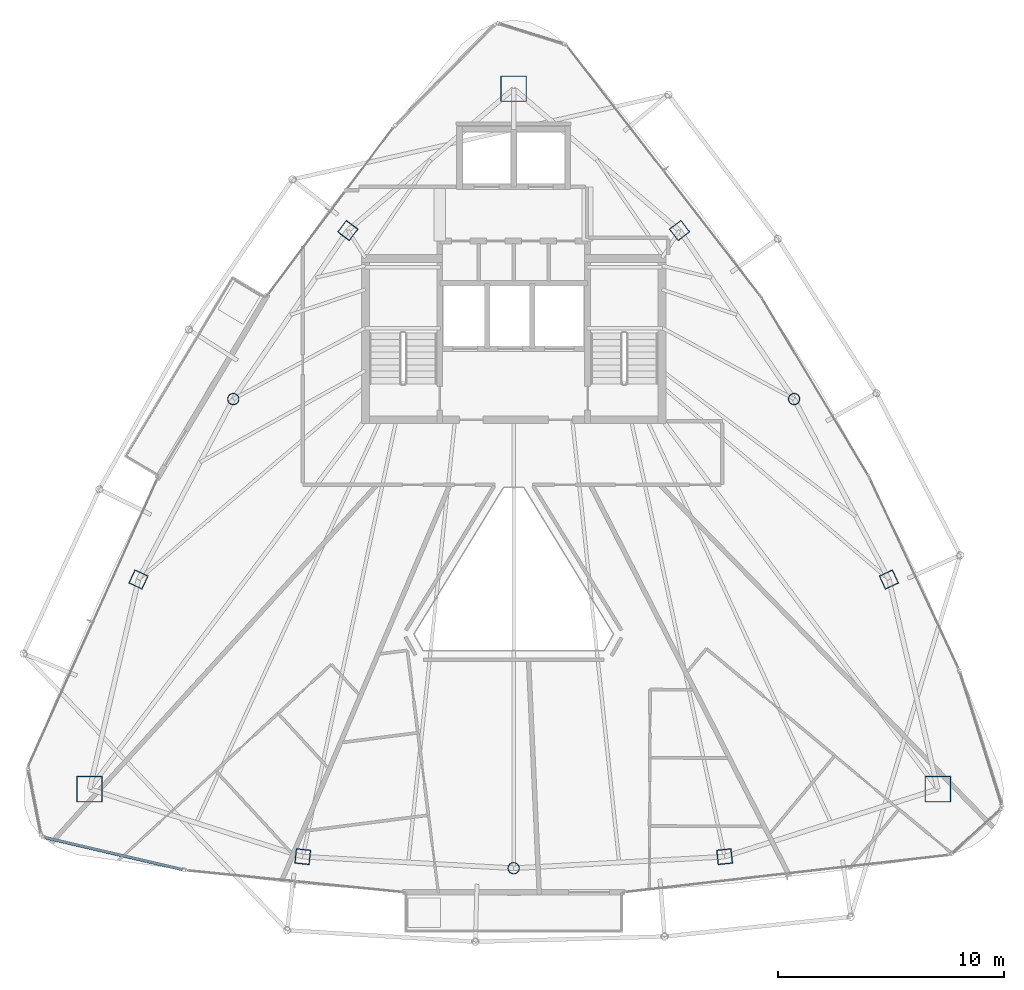
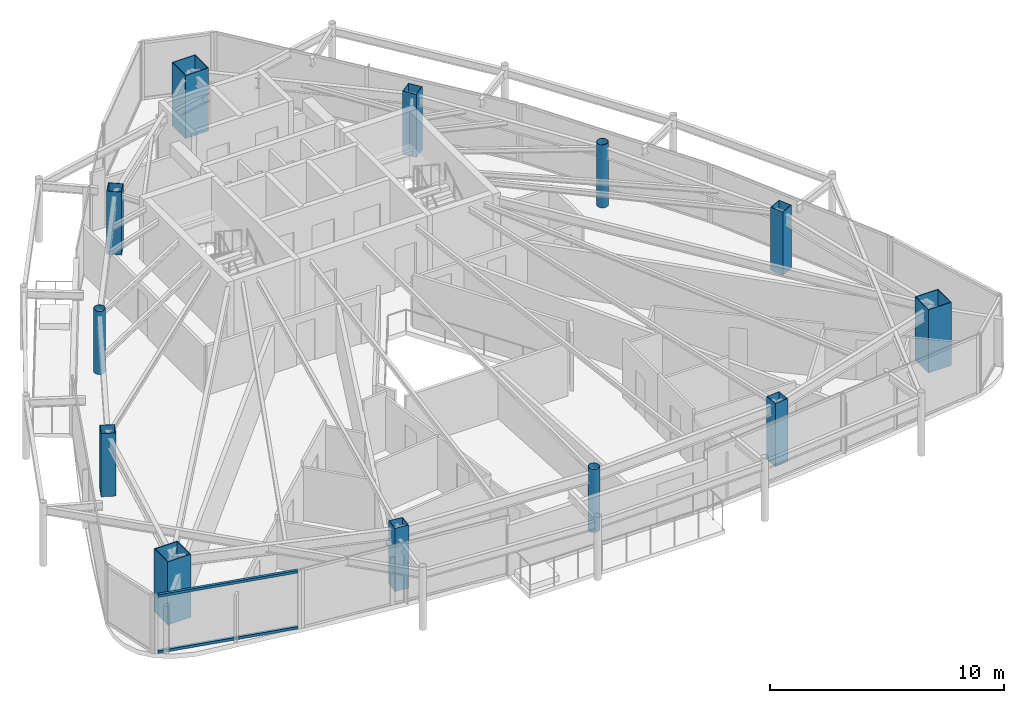
# One storey, part 1 of 30: 12 columns, 2 members, 1 element without a shape of its own.
"""IFC4 building model written with IfcOpenShell, lengths in metres."""

from ifc_helpers import new_model, si_unit, direction, frame, origin, origin_2d, place, context, subcontext, project, spatial, hollow_rectangle, hollow_circle, extrude, material, layer, layer_set, material_profile, profile_set, type_object, element, aggregate, save


model = new_model("IFC4")

# Units and contexts
model_context = context("Model", 3, precision=1e-05, world=origin(), true_north=direction((0.0, 1.0)))
body_context = subcontext(model_context, "Body", "Model", "MODEL_VIEW")
ifc_project = project(units=[si_unit("LENGTHUNIT", "METRE"), si_unit("AREAUNIT", "SQUARE_METRE"), si_unit("VOLUMEUNIT", "CUBIC_METRE"), si_unit("PLANEANGLEUNIT", "RADIAN"), si_unit("MASSUNIT", "GRAM", prefix="KILO")], contexts=[model_context])

# Site, building, storey
site_placement = place(None, origin())
site = spatial("IfcSite", under=ifc_project, at=site_placement, CompositionType="ELEMENT")
building_placement = place(site_placement, origin())
building = spatial("IfcBuilding", under=site, at=building_placement, Name="Orvanel Arch Residences", CompositionType="ELEMENT")
storey_placement = place(building_placement, frame((0.0, 0.0, 270.050048828125)))
storey = spatial("IfcBuildingStorey", under=building, at=storey_placement, Name="L77", CompositionType="ELEMENT", Elevation=270.050048828125)

# Columns
ifc_material_1 = material(Name="Structural steel AS/NZS 1163 C350L0 (Grade 350)", Category="steel")
ifc_material_profile_1 = material_profile(ifc_material_1, hollow_circle(Radius=0.25390625, WallThickness=0.01611328125, at=origin_2d()), Name="CHS508x16")
ifc_profile_set_1 = profile_set([ifc_material_profile_1], Name="Structural steel AS/NZS 1163 C350L0 (Grade 350)")
column_type_1 = type_object("IfcColumnType", Name="CC-508", PredefinedType="COLUMN", material=ifc_profile_set_1)
for number, where, z_axis, x_axis, name in (
    (1, (20.569091796875, 27.64111328125, 0.0), (0.0, 0.0, 1.0), (1.0, 0.0, 0.0), "L77 High-Rise Tube Column 02"),
    (2, (33.0, 6.843994140625, 0.0), (0.0, 0.0, 1.0), (1.0, 0.0, 0.0), "L77 High-Rise Tube Column 05"),
    (3, (45.430908203125, 27.64111328125, 0.0), (0.0, 0.0, 1.0), (1.0, 0.0, 0.0), "L77 High-Rise Tube Column 08"),
):
    element("IfcColumn", number, at=place(storey_placement, frame(where, z_axis=z_axis, x_axis=x_axis)), inside=storey, type_object=column_type_1, Name=name, PredefinedType="COLUMN", context=body_context, shape_type="SweptSolid", body=[
        extrude(hollow_circle(Radius=0.25390625, WallThickness=0.01611328125, at=origin_2d()), origin(), (0.0, 0.0, 1.0), 3.300048828125),
    ])
ifc_material_2 = material(Name="Structural steel AS/NZS 3678 Grade 450", Category="steel")
ifc_material_profile_2 = material_profile(ifc_material_2, hollow_rectangle(XDim=1.14990234375, YDim=1.14990234375, WallThickness=0.035888671875, at=origin_2d()), Name="BOX1150x1150x36")
ifc_profile_set_2 = profile_set([ifc_material_profile_2], Name="Structural steel AS/NZS 3678 Grade 450")
column_type_2 = type_object("IfcColumnType", Name="MC-1150", PredefinedType="COLUMN", material=ifc_profile_set_2)
for number, where, z_axis, x_axis, name in (
    (4, (33.0, 41.39794921875, 0.0), (0.0, 0.0, 1.0), (1.0, 0.0, 0.0), "L77 Corner Mega-Column 1"),
    (5, (14.198974609375, 10.35107421875, 0.0), (0.0, 0.0, 1.0), (1.0, 0.0, 0.0), "L77 Corner Mega-Column 2"),
    (6, (51.801025390625, 10.35107421875, 0.0), (0.0, 0.0, 1.0), (1.0, 0.0, 0.0), "L77 Corner Mega-Column 3"),
):
    element("IfcColumn", number, at=place(storey_placement, frame(where, z_axis=z_axis, x_axis=x_axis)), inside=storey, type_object=column_type_2, Name=name, PredefinedType="COLUMN", context=body_context, shape_type="SweptSolid", body=[
        extrude(hollow_rectangle(XDim=1.14990234375, YDim=1.14990234375, WallThickness=0.035888671875, at=origin_2d()), origin(), (0.0, 0.0, 1.0), 3.300048828125),
    ])
ifc_material_3 = material(Name="Structural steel AS/NZS 3678 Grade 350", Category="steel")
ifc_material_profile_3 = material_profile(ifc_material_3, hollow_rectangle(XDim=0.64990234375, YDim=0.64990234375, WallThickness=0.02197265625, at=origin_2d()), Name="BOX650x650x22")
ifc_profile_set_3 = profile_set([ifc_material_profile_3], Name="Structural steel AS/NZS 3678 Grade 350")
column_type_3 = type_object("IfcColumnType", Name="TC-650", PredefinedType="COLUMN", material=ifc_profile_set_3)
for number, where, z_axis, x_axis, name in (
    (7, (25.64794921875, 35.113037109375, 0.0), (0.0, 0.0, 1.0), (0.600420225326, 0.799684658487, 0.0), "L77 High-Rise Tube Column 01"),
    (8, (16.366943359375, 19.64208984375, 0.0), (0.0, 0.0, 1.0), (0.422618261741, 0.906307787037, 0.0), "L77 High-Rise Tube Column 03"),
    (9, (23.64892578125, 7.35498046875, 0.0), (0.0, 0.0, 1.0), (-0.994880708829, 0.101056297183, 0.0), "L77 High-Rise Tube Column 04"),
    (10, (42.35107421875, 7.35498046875, 0.0), (0.0, 0.0, 1.0), (0.994880708829, 0.101056297183, 0.0), "L77 High-Rise Tube Column 06"),
    (11, (49.633056640625, 19.64208984375, 0.0), (0.0, 0.0, 1.0), (-0.422618261741, 0.906307787037, 0.0), "L77 High-Rise Tube Column 07"),
    (12, (40.35205078125, 35.113037109375, 0.0), (0.0, 0.0, 1.0), (-0.600420225326, 0.799684658487, 0.0), "L77 High-Rise Tube Column 09"),
):
    element("IfcColumn", number, at=place(storey_placement, frame(where, z_axis=z_axis, x_axis=x_axis)), inside=storey, type_object=column_type_3, Name=name, PredefinedType="COLUMN", context=body_context, shape_type="SweptSolid", body=[
        extrude(hollow_rectangle(XDim=0.64990234375, YDim=0.64990234375, WallThickness=0.02197265625, at=origin_2d()), origin(), (0.0, 0.0, 1.0), 3.300048828125),
    ])

# Curtain wall, members
ifc_material_4 = material(Name="Bronze-anodised aluminium AA6063-T6", Category="aluminium")
ifc_layer = layer(ifc_material_4, 0.18994140625)
ifc_layer_set = layer_set([ifc_layer], Name="Bronze-anodised aluminium AA6063-T6")
curtain_wall_type = type_object("IfcCurtainWallType", Name="CW5-CRN-SYS", PredefinedType="NOTDEFINED", material=ifc_layer_set)
curtain_wall_placement = place(storey_placement, origin())
curtain_wall = element("IfcCurtainWall", 13, at=curtain_wall_placement, inside=storey, type_object=curtain_wall_type, Name="L77 CW5-CRN-SYS Unitised Curtain Wall", PredefinedType="NOTDEFINED")
ifc_material_profile_4 = material_profile(ifc_material_4, hollow_rectangle(XDim=0.1298828125, YDim=0.1298828125, WallThickness=0.00439453125, at=origin_2d()), Name="ALU130x130x4.5")
ifc_profile_set_4 = profile_set([ifc_material_profile_4], Name="Bronze-anodised aluminium AA6063-T6")
member_type = type_object("IfcMemberType", Name="TRN-130x130", PredefinedType="USERDEFINED", material=ifc_profile_set_4)
member_1_placement = place(storey_placement, frame((12.22412109375, 8.2041015625, 0.06494140625), z_axis=(0.97394708991, -0.226775364745, 0.0), x_axis=(0.226775364745, 0.97394708991, 0.0)))
member_1 = element("IfcMember", 14, at=member_1_placement, type_object=member_type, Name="CW-S5 transom 1.1", ObjectType="TRANSOM", PredefinedType="USERDEFINED", context=body_context, shape_type="SweptSolid", body=[
    extrude(hollow_rectangle(XDim=0.1298828125, YDim=0.1298828125, WallThickness=0.00439453125, at=origin_2d()), origin(), (0.0, 0.0, 1.0), 6.252685546875),
])
member_2_placement = place(storey_placement, frame((12.22412109375, 8.2041015625, 2.994873046875), z_axis=(0.97394708991, -0.226775364745, 0.0), x_axis=(0.226775364745, 0.97394708991, 0.0)))
member_2 = element("IfcMember", 15, at=member_2_placement, type_object=member_type, Name="CW-S5 transom 1.2", ObjectType="TRANSOM", PredefinedType="USERDEFINED", context=body_context, shape_type="SweptSolid", body=[
    extrude(hollow_rectangle(XDim=0.1298828125, YDim=0.1298828125, WallThickness=0.00439453125, at=origin_2d()), origin(), (0.0, 0.0, 1.0), 6.252685546875),
])
aggregate(curtain_wall, [member_1, member_2])

save(model, "model.ifc")
